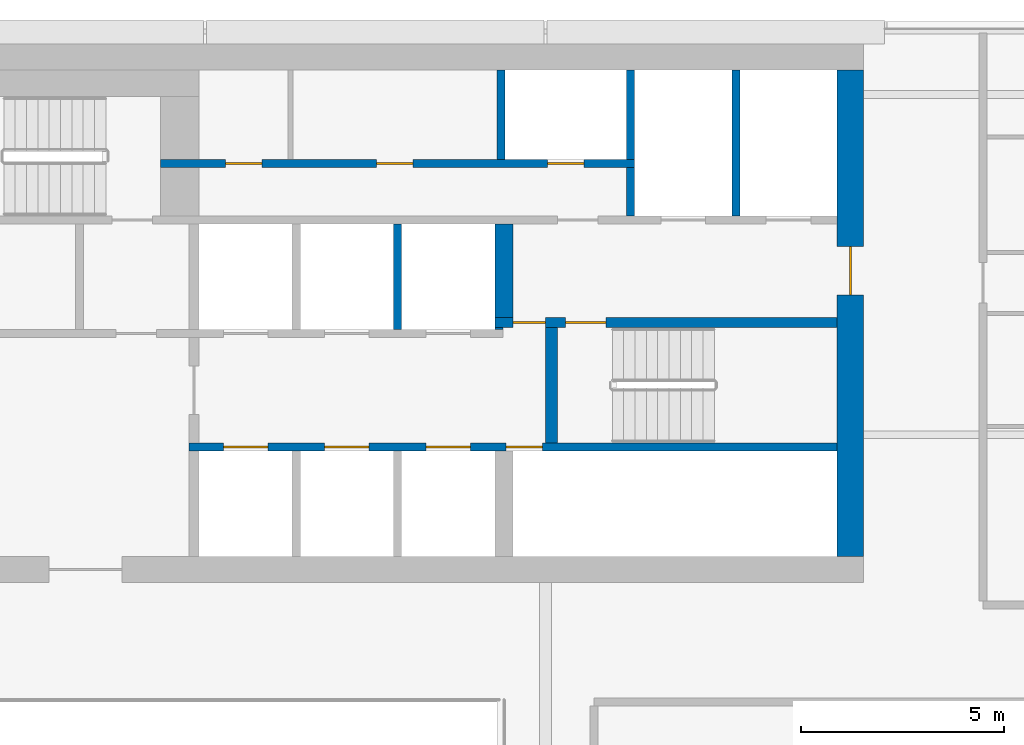
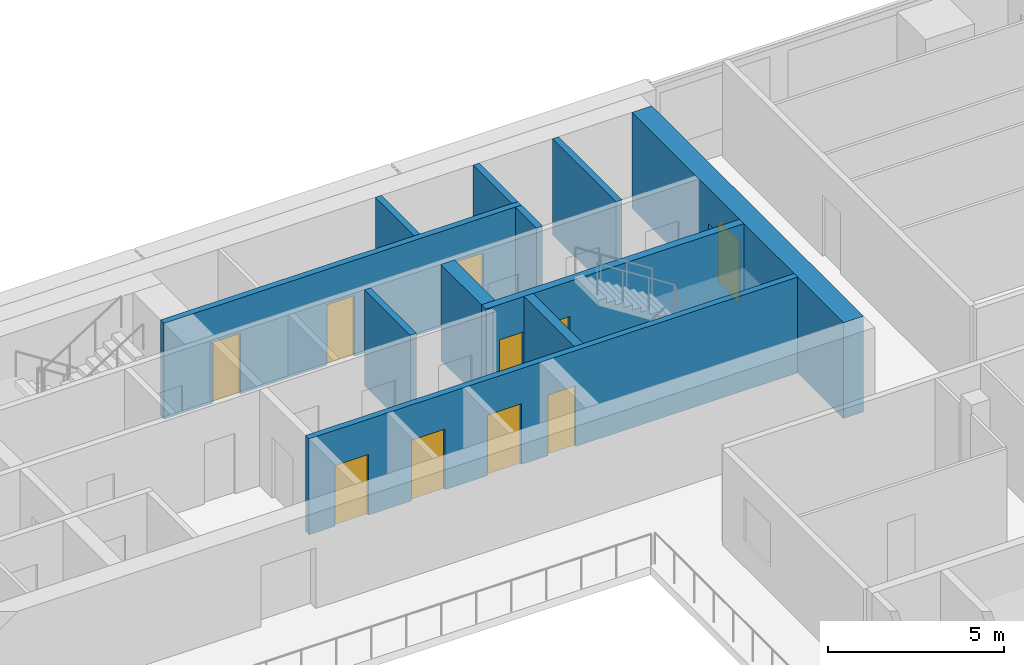
# One storey, part 23 of 30: 12 walls, 10 doors, 10 openings.
"""IFC4 building model written with IfcOpenShell, lengths in metres."""

from ifc_helpers import new_model, si_unit, direction, frame, frame_2d, origin, place, context, subcontext, project, spatial, rectangle, extrude, material, layer, layer_set, type_object, element, fill, save


model = new_model("IFC4")

# Units and contexts
model_context = context("Model", 3, precision=1e-05, world=origin(), true_north=direction((0.0, 1.0)))
body_context = subcontext(model_context, "Body", "Model", "MODEL_VIEW")
ifc_project = project(units=[si_unit("LENGTHUNIT", "METRE"), si_unit("AREAUNIT", "SQUARE_METRE"), si_unit("VOLUMEUNIT", "CUBIC_METRE"), si_unit("PLANEANGLEUNIT", "RADIAN"), si_unit("MASSUNIT", "GRAM", prefix="KILO")], contexts=[model_context])

# Site, building, storey
site_placement = place(None, origin())
site = spatial("IfcSite", under=ifc_project, at=site_placement, CompositionType="ELEMENT")
building_placement = place(site_placement, origin())
building = spatial("IfcBuilding", under=site, at=building_placement, Name="Saffron Gate Tower", CompositionType="ELEMENT")
storey_placement = place(building_placement, frame((0.0, 0.0, 223.5)))
storey = spatial("IfcBuildingStorey", under=building, at=storey_placement, Name="L54", CompositionType="ELEMENT", Elevation=223.5)

# Wall, openings, doors
ifc_material_1 = material(Name="Concrete C60", Category="concrete")
ifc_layer_1 = layer(ifc_material_1, 0.25)
ifc_layer_set_1 = layer_set([ifc_layer_1], Name="CW14 RC core wall 250 C60")
wall_type_1 = type_object("IfcWallType", Name="CW14 RC core wall 250 C60", PredefinedType="SOLIDWALL", material=ifc_layer_set_1)
wall_1_placement = place(storey_placement, frame((98.949951171875, 68.175048828125, 0.0), z_axis=(0.0, 0.0, 1.0), x_axis=(1.0, 0.0, 0.0)))
wall_1 = element("IfcWall", 1, at=wall_1_placement, inside=storey, type_object=wall_type_1, Name="Wall CW14-L54-27", PredefinedType="SOLIDWALL", context=body_context, shape_type="SweptSolid", body=[
    extrude(rectangle(XDim=8.449951171875, YDim=0.25, at=frame_2d((4.22509765625, 0.0))), origin(), (0.0, 0.0, 1.0), 3.320068359375),
])
opening_1_placement = place(wall_1_placement, frame((0.449951171875, 0.0, 0.0)))
opening_1 = element("IfcOpeningElement", 2, at=opening_1_placement, cuts=wall_1, Name="Opening CR-05", PredefinedType="OPENING", context=body_context, shape_type="SweptSolid", body=[
    extrude(rectangle(XDim=0.800048828125, YDim=2.10009765625, at=frame_2d((0.39990234375, 1.050048828125))), frame((0.0, 0.135009765625, 0.0), z_axis=(0.0, -1.0, 0.0), x_axis=(1.0, 0.0, 0.0)), (0.0, 0.0, 1.0), 0.27001953125),
])
opening_2_placement = place(wall_1_placement, frame((1.75, 0.0, 0.0)))
opening_2 = element("IfcOpeningElement", 3, at=opening_2_placement, cuts=wall_1, Name="Opening CR-16", PredefinedType="OPENING", context=body_context, shape_type="SweptSolid", body=[
    extrude(rectangle(XDim=1.0, YDim=2.10009765625, at=frame_2d((0.5, 1.050048828125))), frame((0.0, 0.135009765625, 0.0), z_axis=(0.0, -1.0, 0.0), x_axis=(1.0, 0.0, 0.0)), (0.0, 0.0, 1.0), 0.27001953125),
])
ifc_material_2 = material(Name="Steel fire door set", Category="steel")
door_type_1 = type_object("IfcDoorType", Name="CD5 Stair door 1000x2100 EI 120", OperationType="NOTDEFINED", PredefinedType="DOOR", material=ifc_material_2)
door_1_placement = place(opening_2_placement, origin())
door_1 = element("IfcDoor", 4, at=door_1_placement, inside=storey, type_object=door_type_1, Name="DOOR CR-16", OperationType="SINGLE_SWING_RIGHT", OverallHeight=2.10009765625, OverallWidth=1.0, PredefinedType="DOOR", context=body_context, shape_type="SweptSolid", body=[
    extrude(rectangle(XDim=1.0, YDim=2.10009765625, at=frame_2d((0.5, 1.050048828125))), frame((0.0, 0.02490234375, 0.0), z_axis=(0.0, -1.0, 0.0), x_axis=(1.0, 0.0, 0.0)), (0.0, 0.0, 1.0), 0.050048828125),
])
fill(opening_2, door_1)
door_type_2 = type_object("IfcDoorType", Name="CD6 Lobby door 800x2100 EI 120", OperationType="NOTDEFINED", PredefinedType="DOOR", material=ifc_material_2)
door_2_placement = place(opening_1_placement, origin())
door_2 = element("IfcDoor", 5, at=door_2_placement, inside=storey, type_object=door_type_2, Name="DOOR CR-05", OperationType="SINGLE_SWING_LEFT", OverallHeight=2.10009765625, OverallWidth=0.800048828125, PredefinedType="DOOR", context=body_context, shape_type="SweptSolid", body=[
    extrude(rectangle(XDim=0.800048828125, YDim=2.10009765625, at=frame_2d((0.39990234375, 1.050048828125))), frame((0.0, 0.02490234375, 0.0), z_axis=(0.0, -1.0, 0.0), x_axis=(1.0, 0.0, 0.0)), (0.0, 0.0, 1.0), 0.050048828125),
])
fill(opening_1, door_2)

ifc_layer_2 = layer(ifc_material_1, 0.199951171875)
ifc_layer_set_2 = layer_set([ifc_layer_2], Name="CW15 RC core wall 200 C60")
wall_type_2 = type_object("IfcWallType", Name="CW15 RC core wall 200 C60", PredefinedType="SOLIDWALL", material=ifc_layer_set_2)
wall_2_placement = place(storey_placement, frame((91.39990234375, 65.10009765625, 0.0), z_axis=(0.0, 0.0, 1.0), x_axis=(1.0, 0.0, 0.0)))
wall_2 = element("IfcWall", 6, at=wall_2_placement, inside=storey, type_object=wall_type_2, Name="Wall CW15-L54-14", PredefinedType="SOLIDWALL", context=body_context, shape_type="SweptSolid", body=[
    extrude(rectangle(XDim=16.0, YDim=0.199951171875, at=frame_2d((8.0, 0.0))), origin(), (0.0, 0.0, 1.0), 3.320068359375),
])
opening_3_placement = place(wall_2_placement, frame((0.85009765625, 0.0, 0.0)))
opening_3 = element("IfcOpeningElement", 7, at=opening_3_placement, cuts=wall_2, Name="Opening LD-HR1", PredefinedType="OPENING", context=body_context, shape_type="SweptSolid", body=[
    extrude(rectangle(XDim=1.10009765625, YDim=2.10009765625, at=frame_2d((0.550048828125, 1.050048828125))), frame((0.0, 0.10986328125, 0.0), z_axis=(0.0, -1.0, 0.0), x_axis=(1.0, 0.0, 0.0)), (0.0, 0.0, 1.0), 0.219970703125),
])
opening_4_placement = place(wall_2_placement, frame((3.35009765625, 0.0, 0.0)))
opening_4 = element("IfcOpeningElement", 8, at=opening_4_placement, cuts=wall_2, Name="Opening LD-HR2", PredefinedType="OPENING", context=body_context, shape_type="SweptSolid", body=[
    extrude(rectangle(XDim=1.10009765625, YDim=2.10009765625, at=frame_2d((0.550048828125, 1.050048828125))), frame((0.0, 0.10986328125, 0.0), z_axis=(0.0, -1.0, 0.0), x_axis=(1.0, 0.0, 0.0)), (0.0, 0.0, 1.0), 0.219970703125),
])
opening_5_placement = place(wall_2_placement, frame((5.85009765625, 0.0, 0.0)))
opening_5 = element("IfcOpeningElement", 9, at=opening_5_placement, cuts=wall_2, Name="Opening LD-HR3", PredefinedType="OPENING", context=body_context, shape_type="SweptSolid", body=[
    extrude(rectangle(XDim=1.10009765625, YDim=2.10009765625, at=frame_2d((0.550048828125, 1.050048828125))), frame((0.0, 0.10986328125, 0.0), z_axis=(0.0, -1.0, 0.0), x_axis=(1.0, 0.0, 0.0)), (0.0, 0.0, 1.0), 0.219970703125),
])
opening_6_placement = place(wall_2_placement, frame((7.830078125, 0.0, 0.0)))
opening_6 = element("IfcOpeningElement", 10, at=opening_6_placement, cuts=wall_2, Name="Opening CR-48", PredefinedType="OPENING", context=body_context, shape_type="SweptSolid", body=[
    extrude(rectangle(XDim=0.89990234375, YDim=2.10009765625, at=frame_2d((0.449951171875, 1.050048828125))), frame((0.0, 0.10986328125, 0.0), z_axis=(0.0, -1.0, 0.0), x_axis=(1.0, 0.0, 0.0)), (0.0, 0.0, 1.0), 0.219970703125),
])
door_type_3 = type_object("IfcDoorType", Name="CD2 Riser door 900x2100 EI 60", OperationType="NOTDEFINED", PredefinedType="DOOR", material=ifc_material_2)
door_3_placement = place(opening_6_placement, origin())
door_3 = element("IfcDoor", 11, at=door_3_placement, inside=storey, type_object=door_type_3, Name="DOOR CR-48", OperationType="SINGLE_SWING_RIGHT", OverallHeight=2.10009765625, OverallWidth=0.89990234375, PredefinedType="DOOR", context=body_context, shape_type="SweptSolid", body=[
    extrude(rectangle(XDim=0.89990234375, YDim=2.10009765625, at=frame_2d((0.449951171875, 1.050048828125))), frame((0.0, 0.02490234375, 0.0), z_axis=(0.0, -1.0, 0.0), x_axis=(1.0, 0.0, 0.0)), (0.0, 0.0, 1.0), 0.050048828125),
])
fill(opening_6, door_3)
ifc_material_3 = material(Name="Stainless steel landing door", Category="steel")
door_type_4 = type_object("IfcDoorType", Name="LD Lift landing door 1100x2100 EI 120", OperationType="SLIDING_TO_LEFT", PredefinedType="DOOR", material=ifc_material_3)
door_4_placement = place(opening_3_placement, origin())
door_4 = element("IfcDoor", 12, at=door_4_placement, inside=storey, type_object=door_type_4, Name="LANDING DOOR LD-HR1", OperationType="SLIDING_TO_LEFT", OverallHeight=2.10009765625, OverallWidth=1.10009765625, PredefinedType="DOOR", context=body_context, shape_type="SweptSolid", body=[
    extrude(rectangle(XDim=1.10009765625, YDim=2.10009765625, at=frame_2d((0.550048828125, 1.050048828125))), frame((0.0, 0.02490234375, 0.0), z_axis=(0.0, -1.0, 0.0), x_axis=(1.0, 0.0, 0.0)), (0.0, 0.0, 1.0), 0.050048828125),
])
fill(opening_3, door_4)
door_5_placement = place(opening_4_placement, origin())
door_5 = element("IfcDoor", 13, at=door_5_placement, inside=storey, type_object=door_type_4, Name="LANDING DOOR LD-HR2", OperationType="SLIDING_TO_LEFT", OverallHeight=2.10009765625, OverallWidth=1.10009765625, PredefinedType="DOOR", context=body_context, shape_type="SweptSolid", body=[
    extrude(rectangle(XDim=1.10009765625, YDim=2.10009765625, at=frame_2d((0.550048828125, 1.050048828125))), frame((0.0, 0.02490234375, 0.0), z_axis=(0.0, -1.0, 0.0), x_axis=(1.0, 0.0, 0.0)), (0.0, 0.0, 1.0), 0.050048828125),
])
fill(opening_4, door_5)
door_6_placement = place(opening_5_placement, origin())
door_6 = element("IfcDoor", 14, at=door_6_placement, inside=storey, type_object=door_type_4, Name="LANDING DOOR LD-HR3", OperationType="SLIDING_TO_LEFT", OverallHeight=2.10009765625, OverallWidth=1.10009765625, PredefinedType="DOOR", context=body_context, shape_type="SweptSolid", body=[
    extrude(rectangle(XDim=1.10009765625, YDim=2.10009765625, at=frame_2d((0.550048828125, 1.050048828125))), frame((0.0, 0.02490234375, 0.0), z_axis=(0.0, -1.0, 0.0), x_axis=(1.0, 0.0, 0.0)), (0.0, 0.0, 1.0), 0.050048828125),
])
fill(opening_5, door_6)

# Walls
wall_3_placement = place(storey_placement, frame((96.550048828125, 68.0, 0.0), z_axis=(0.0, 0.0, 1.0), x_axis=(0.0, 1.0, 0.0)))
element("IfcWall", 15, at=wall_3_placement, inside=storey, type_object=wall_type_2, Name="Wall CW15-L54-24", PredefinedType="SOLIDWALL", context=body_context, shape_type="SweptSolid", body=[
    extrude(rectangle(XDim=2.60009765625, YDim=0.199951171875, at=frame_2d((1.300048828125, 0.0))), origin(), (0.0, 0.0, 1.0), 3.320068359375),
])
wall_4_placement = place(storey_placement, frame((102.300048828125, 70.800048828125, 0.0), z_axis=(0.0, 0.0, 1.0), x_axis=(0.0, 1.0, 0.0)))
element("IfcWall", 16, at=wall_4_placement, inside=storey, type_object=wall_type_2, Name="Wall CW15-L54-35", PredefinedType="SOLIDWALL", context=body_context, shape_type="SweptSolid", body=[
    extrude(rectangle(XDim=1.199951171875, YDim=0.199951171875, at=frame_2d((0.60009765625, 0.0))), origin(), (0.0, 0.0, 1.0), 3.320068359375),
])
wall_5_placement = place(storey_placement, frame((104.89990234375, 70.800048828125, 0.0), z_axis=(0.0, 0.0, 1.0), x_axis=(0.0, 1.0, 0.0)))
element("IfcWall", 17, at=wall_5_placement, inside=storey, type_object=wall_type_2, Name="Wall CW15-L54-36", PredefinedType="SOLIDWALL", context=body_context, shape_type="SweptSolid", body=[
    extrude(rectangle(XDim=3.599853515625, YDim=0.199951171875, at=frame_2d((1.7998046875, 0.0))), origin(), (0.0, 0.0, 1.0), 3.320068359375),
])

# Wall, openings, doors
wall_6_placement = place(storey_placement, frame((90.699951171875, 72.10009765625, 0.0), z_axis=(0.0, 0.0, 1.0), x_axis=(1.0, 0.0, 0.0)))
wall_6 = element("IfcWall", 18, at=wall_6_placement, inside=storey, type_object=wall_type_2, Name="Wall CW15-L54-38", PredefinedType="SOLIDWALL", context=body_context, shape_type="SweptSolid", body=[
    extrude(rectangle(XDim=11.699951171875, YDim=0.199951171875, at=frame_2d((5.85009765625, 0.0))), origin(), (0.0, 0.0, 1.0), 3.320068359375),
])
opening_7_placement = place(wall_6_placement, frame((1.60009765625, 0.0, 0.0)))
opening_7 = element("IfcOpeningElement", 19, at=opening_7_placement, cuts=wall_6, Name="Opening CR-50", PredefinedType="OPENING", context=body_context, shape_type="SweptSolid", body=[
    extrude(rectangle(XDim=0.89990234375, YDim=2.10009765625, at=frame_2d((0.449951171875, 1.050048828125))), frame((0.0, 0.10986328125, 0.0), z_axis=(0.0, -1.0, 0.0), x_axis=(1.0, 0.0, 0.0)), (0.0, 0.0, 1.0), 0.219970703125),
])
opening_8_placement = place(wall_6_placement, frame((5.3349609375, 0.0, 0.0)))
opening_8 = element("IfcOpeningElement", 20, at=opening_8_placement, cuts=wall_6, Name="Opening CR-53", PredefinedType="OPENING", context=body_context, shape_type="SweptSolid", body=[
    extrude(rectangle(XDim=0.89990234375, YDim=2.10009765625, at=frame_2d((0.449951171875, 1.050048828125))), frame((0.0, 0.10986328125, 0.0), z_axis=(0.0, -1.0, 0.0), x_axis=(1.0, 0.0, 0.0)), (0.0, 0.0, 1.0), 0.219970703125),
])
opening_9_placement = place(wall_6_placement, frame((9.550048828125, 0.0, 0.0)))
opening_9 = element("IfcOpeningElement", 21, at=opening_9_placement, cuts=wall_6, Name="Opening CR-70", PredefinedType="OPENING", context=body_context, shape_type="SweptSolid", body=[
    extrude(rectangle(XDim=0.89990234375, YDim=2.10009765625, at=frame_2d((0.449951171875, 1.050048828125))), frame((0.0, 0.10986328125, 0.0), z_axis=(0.0, -1.0, 0.0), x_axis=(1.0, 0.0, 0.0)), (0.0, 0.0, 1.0), 0.219970703125),
])
door_7_placement = place(opening_9_placement, origin())
door_7 = element("IfcDoor", 22, at=door_7_placement, inside=storey, type_object=door_type_3, Name="DOOR CR-70", OperationType="SINGLE_SWING_LEFT", OverallHeight=2.10009765625, OverallWidth=0.89990234375, PredefinedType="DOOR", context=body_context, shape_type="SweptSolid", body=[
    extrude(rectangle(XDim=0.89990234375, YDim=2.10009765625, at=frame_2d((0.449951171875, 1.050048828125))), frame((0.0, 0.02490234375, 0.0), z_axis=(0.0, -1.0, 0.0), x_axis=(1.0, 0.0, 0.0)), (0.0, 0.0, 1.0), 0.050048828125),
])
fill(opening_9, door_7)
door_type_5 = type_object("IfcDoorType", Name="CD9 Room door 900x2100 EI 60", OperationType="NOTDEFINED", PredefinedType="DOOR", material=ifc_material_2)
door_8_placement = place(opening_7_placement, origin())
door_8 = element("IfcDoor", 23, at=door_8_placement, inside=storey, type_object=door_type_5, Name="DOOR CR-50", OperationType="SINGLE_SWING_LEFT", OverallHeight=2.10009765625, OverallWidth=0.89990234375, PredefinedType="DOOR", context=body_context, shape_type="SweptSolid", body=[
    extrude(rectangle(XDim=0.89990234375, YDim=2.10009765625, at=frame_2d((0.449951171875, 1.050048828125))), frame((0.0, 0.02490234375, 0.0), z_axis=(0.0, -1.0, 0.0), x_axis=(1.0, 0.0, 0.0)), (0.0, 0.0, 1.0), 0.050048828125),
])
fill(opening_7, door_8)
door_9_placement = place(opening_8_placement, origin())
door_9 = element("IfcDoor", 24, at=door_9_placement, inside=storey, type_object=door_type_5, Name="DOOR CR-53", OperationType="SINGLE_SWING_LEFT", OverallHeight=2.10009765625, OverallWidth=0.89990234375, PredefinedType="DOOR", context=body_context, shape_type="SweptSolid", body=[
    extrude(rectangle(XDim=0.89990234375, YDim=2.10009765625, at=frame_2d((0.449951171875, 1.050048828125))), frame((0.0, 0.02490234375, 0.0), z_axis=(0.0, -1.0, 0.0), x_axis=(1.0, 0.0, 0.0)), (0.0, 0.0, 1.0), 0.050048828125),
])
fill(opening_8, door_9)

# Walls
for number, where, z_axis, x_axis, name in (
    (25, (99.10009765625, 72.199951171875, 0.0), (0.0, 0.0, 1.0), (0.0, 1.0, 0.0), "Wall CW15-L54-46"),
    (26, (102.300048828125, 72.199951171875, 0.0), (0.0, 0.0, 1.0), (0.0, 1.0, 0.0), "Wall CW15-L54-47"),
):
    element("IfcWall", number, at=place(storey_placement, frame(where, z_axis=z_axis, x_axis=x_axis)), inside=storey, type_object=wall_type_2, Name=name, PredefinedType="SOLIDWALL", context=body_context, shape_type="SweptSolid", body=[
        extrude(rectangle(XDim=2.199951171875, YDim=0.199951171875, at=frame_2d((1.10009765625, 0.0))), origin(), (0.0, 0.0, 1.0), 3.320068359375),
    ])
ifc_layer_3 = layer(ifc_material_1, 0.449951171875)
ifc_layer_set_3 = layer_set([ifc_layer_3], Name="CW16 RC core wall 450 C60")
wall_type_3 = type_object("IfcWallType", Name="CW16 RC core wall 450 C60", PredefinedType="SOLIDWALL", material=ifc_layer_set_3)
wall_7_placement = place(storey_placement, frame((99.175048828125, 68.300048828125, 0.0), z_axis=(0.0, 0.0, 1.0), x_axis=(0.0, 1.0, 0.0)))
element("IfcWall", 27, at=wall_7_placement, inside=storey, type_object=wall_type_3, Name="Wall CW16-L54-29", PredefinedType="SOLIDWALL", context=body_context, shape_type="SweptSolid", body=[
    extrude(rectangle(XDim=2.300048828125, YDim=0.449951171875, at=frame_2d((1.14990234375, 0.0))), origin(), (0.0, 0.0, 1.0), 3.320068359375),
])
ifc_layer_4 = layer(ifc_material_1, 0.300048828125)
ifc_layer_set_4 = layer_set([ifc_layer_4], Name="CW17 RC core wall 300 C60")
wall_type_4 = type_object("IfcWallType", Name="CW17 RC core wall 300 C60", PredefinedType="SOLIDWALL", material=ifc_layer_set_4)
wall_8_placement = place(storey_placement, frame((100.35009765625, 65.199951171875, 0.0), z_axis=(0.0, 0.0, 1.0), x_axis=(0.0, 1.0, 0.0)))
element("IfcWall", 28, at=wall_8_placement, inside=storey, type_object=wall_type_4, Name="Wall CW17-L54-18", PredefinedType="SOLIDWALL", context=body_context, shape_type="SweptSolid", body=[
    extrude(rectangle(XDim=2.85009765625, YDim=0.300048828125, at=frame_2d((1.425048828125, 0.0))), origin(), (0.0, 0.0, 1.0), 3.320068359375),
])
ifc_layer_5 = layer(ifc_material_1, 0.050048828125)
ifc_layer_set_5 = layer_set([ifc_layer_5], Name="CW18 RC core wall 50 C60")
wall_type_5 = type_object("IfcWallType", Name="CW18 RC core wall 50 C60", PredefinedType="SOLIDWALL", material=ifc_layer_set_5)
wall_9_placement = place(storey_placement, frame((98.949951171875, 68.02490234375, 0.0), z_axis=(0.0, 0.0, 1.0), x_axis=(1.0, 0.0, 0.0)))
element("IfcWall", 29, at=wall_9_placement, inside=storey, type_object=wall_type_5, Name="Wall CW18-L54-25", PredefinedType="SOLIDWALL", context=body_context, shape_type="SweptSolid", body=[
    extrude(rectangle(XDim=0.199951171875, YDim=0.050048828125, at=frame_2d((0.10009765625, 0.0))), origin(), (0.0, 0.0, 1.0), 3.320068359375),
])

# Wall, opening, door
ifc_layer_6 = layer(ifc_material_1, 0.64990234375)
ifc_layer_set_6 = layer_set([ifc_layer_6], Name="CW20 RC core wall 650 C60")
wall_type_6 = type_object("IfcWallType", Name="CW20 RC core wall 650 C60", PredefinedType="SOLIDWALL", material=ifc_layer_set_6)
wall_10_placement = place(storey_placement, frame((107.72509765625, 62.39990234375, 0.0), z_axis=(0.0, 0.0, 1.0), x_axis=(0.0, 1.0, 0.0)))
wall_10 = element("IfcWall", 30, at=wall_10_placement, inside=storey, type_object=wall_type_6, Name="Wall CW20-L54-4", PredefinedType="SOLIDWALL", context=body_context, shape_type="SweptSolid", body=[
    extrude(rectangle(XDim=12.0, YDim=0.64990234375, at=frame_2d((6.0, 0.0))), origin(), (0.0, 0.0, 1.0), 3.320068359375),
])
opening_10_placement = place(wall_10_placement, frame((6.449951171875, 0.0, 0.0)))
opening_10 = element("IfcOpeningElement", 31, at=opening_10_placement, cuts=wall_10, Name="Opening CR-08", PredefinedType="OPENING", context=body_context, shape_type="SweptSolid", body=[
    extrude(rectangle(XDim=1.199951171875, YDim=2.10009765625, at=frame_2d((0.60009765625, 1.050048828125))), frame((0.0, 0.3349609375, 0.0), z_axis=(0.0, -1.0, 0.0), x_axis=(1.0, 0.0, 0.0)), (0.0, 0.0, 1.0), 0.669921875),
])
door_type_6 = type_object("IfcDoorType", Name="CD7 Core entrance door 1200x2100 EI 120", OperationType="NOTDEFINED", PredefinedType="DOOR", material=ifc_material_2)
door_10_placement = place(opening_10_placement, origin())
door_10 = element("IfcDoor", 32, at=door_10_placement, inside=storey, type_object=door_type_6, Name="DOOR CR-08", OperationType="SINGLE_SWING_RIGHT", OverallHeight=2.10009765625, OverallWidth=1.199951171875, PredefinedType="DOOR", context=body_context, shape_type="SweptSolid", body=[
    extrude(rectangle(XDim=1.199951171875, YDim=2.10009765625, at=frame_2d((0.60009765625, 1.050048828125))), frame((0.0, 0.02490234375, 0.0), z_axis=(0.0, -1.0, 0.0), x_axis=(1.0, 0.0, 0.0)), (0.0, 0.0, 1.0), 0.050048828125),
])
fill(opening_10, door_10)

save(model, "model.ifc")
